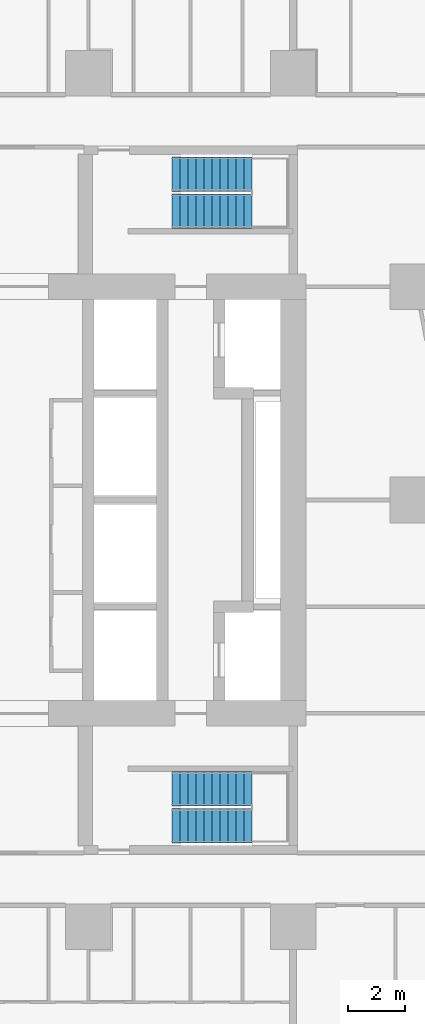
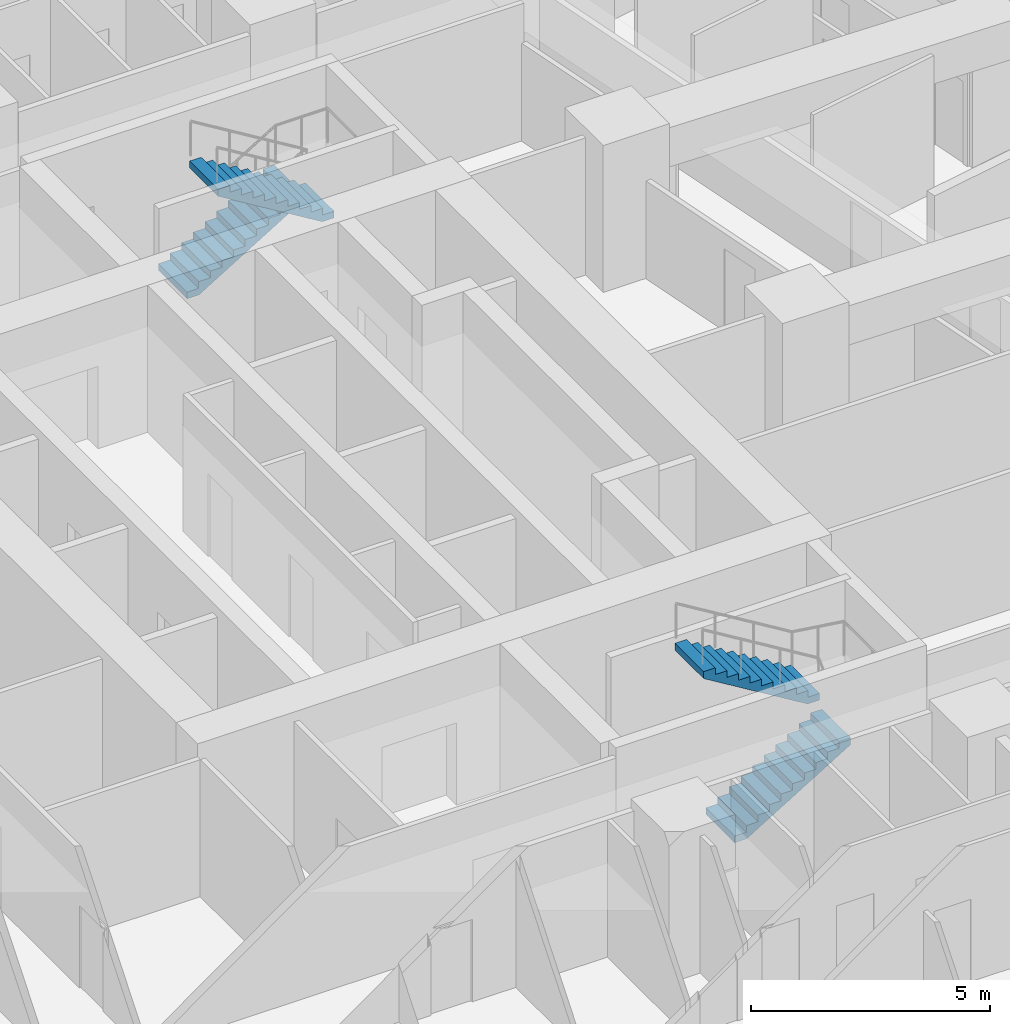
# One storey, part 12 of 15: 4 stair flights, 2 elements without a shape of their own.
"""IFC4 building model written with IfcOpenShell, lengths in metres."""

from ifc_helpers import new_model, si_unit, direction, frame, origin, place, context, subcontext, project, spatial, triangles, material, type_object, element, aggregate, save


model = new_model("IFC4")

# Units and contexts
model_context = context("Model", 3, precision=1e-05, world=origin(), true_north=direction((0.0, 1.0)))
body_context = subcontext(model_context, "Body", "Model", "MODEL_VIEW")
ifc_project = project(units=[si_unit("LENGTHUNIT", "METRE"), si_unit("AREAUNIT", "SQUARE_METRE"), si_unit("VOLUMEUNIT", "CUBIC_METRE"), si_unit("PLANEANGLEUNIT", "RADIAN"), si_unit("MASSUNIT", "GRAM", prefix="KILO")], contexts=[model_context])

# Site, building, storey
site_placement = place(None, origin())
site = spatial("IfcSite", under=ifc_project, at=site_placement, CompositionType="ELEMENT")
building_placement = place(site_placement, origin())
building = spatial("IfcBuilding", under=site, at=building_placement, Name="Sheger Commons Tower", CompositionType="ELEMENT")
storey_placement = place(building_placement, frame((0.0, 0.0, 81.64990234375)))
storey = spatial("IfcBuildingStorey", under=building, at=storey_placement, Name="L20", CompositionType="ELEMENT", Elevation=81.64990234375)

# Stair, stair flights
ifc_material_1 = material(Name="Concrete C35/45", Category="concrete")
stair_type = type_object("IfcStairType", Name="HALF-TURN STAIR 1200 RISE 3750", PredefinedType="HALF_TURN_STAIR", material=ifc_material_1)
stair_1_placement = place(storey_placement, origin())
stair_1 = element("IfcStair", 1, at=stair_1_placement, inside=storey, type_object=stair_type, Name="Stair S1 L20", PredefinedType="HALF_TURN_STAIR")
ifc_material_2 = material(Name="Concrete C35/45", Category="concrete")
stair_flight_type = type_object("IfcStairFlightType", Name="STAIR FLIGHT 1200 11 RISERS OF 170", PredefinedType="STRAIGHT", material=ifc_material_2)
stair_flight_1_placement = place(storey_placement, frame((24.550048828125, 11.050048828125, 0.0), z_axis=(0.0, 0.0, 1.0), x_axis=(1.0, 0.0, 0.0)))
stair_flight_1 = element("IfcStairFlight", 2, at=stair_flight_1_placement, type_object=stair_flight_type, Name="S1 flight 1", NumberOfRisers=11, NumberOfTreads=10, PredefinedType="STRAIGHT", RiserHeight=0.170454545, TreadLength=0.28, context=body_context, shape_type="Tessellation", body=[
    triangles([(0.0, 0.5999755859375, 0.0), (0.0, 0.5999755859375, 0.17041015625), (0.280029296875, 0.5999755859375, 0.17041015625), (0.280029296875, 0.5999755859375, 0.3408203125), (0.56005859375, 0.5999755859375, 0.3408203125), (0.56005859375, 0.5999755859375, 0.511474609375), (0.840087890625, 0.5999755859375, 0.511474609375), (0.840087890625, 0.5999755859375, 0.681884765625), (1.1201171875, 0.5999755859375, 0.681884765625), (1.1201171875, 0.5999755859375, 0.852294921875), (1.39990234375, 0.5999755859375, 0.852294921875), (1.39990234375, 0.5999755859375, 1.022705078125), (1.679931640625, 0.5999755859375, 1.022705078125), (1.679931640625, 0.5999755859375, 1.193115234375), (1.9599609375, 0.5999755859375, 1.193115234375), (1.9599609375, 0.5999755859375, 1.363525390625), (2.239990234375, 0.5999755859375, 1.363525390625), (2.239990234375, 0.5999755859375, 1.5341796875), (2.52001953125, 0.5999755859375, 1.5341796875), (2.52001953125, 0.5999755859375, 1.70458984375), (2.800048828125, 0.5999755859375, 1.70458984375), (2.800048828125, 0.5999755859375, 1.529052734375), (0.288330078125, 0.5999755859375, 0.0), (0.0, -0.5999755859375, 0.0), (0.0, -0.5999755859375, 0.17041015625), (0.280029296875, -0.5999755859375, 0.17041015625), (0.280029296875, -0.5999755859375, 0.3408203125), (0.56005859375, -0.5999755859375, 0.3408203125), (0.56005859375, -0.5999755859375, 0.511474609375), (0.840087890625, -0.5999755859375, 0.511474609375), (0.840087890625, -0.5999755859375, 0.681884765625), (1.1201171875, -0.5999755859375, 0.681884765625), (1.1201171875, -0.5999755859375, 0.852294921875), (1.39990234375, -0.5999755859375, 0.852294921875), (1.39990234375, -0.5999755859375, 1.022705078125), (1.679931640625, -0.5999755859375, 1.022705078125), (1.679931640625, -0.5999755859375, 1.193115234375), (1.9599609375, -0.5999755859375, 1.193115234375), (1.9599609375, -0.5999755859375, 1.363525390625), (2.239990234375, -0.5999755859375, 1.363525390625), (2.239990234375, -0.5999755859375, 1.5341796875), (2.52001953125, -0.5999755859375, 1.5341796875), (2.52001953125, -0.5999755859375, 1.70458984375), (2.800048828125, -0.5999755859375, 1.70458984375), (2.800048828125, -0.5999755859375, 1.529052734375), (0.288330078125, -0.5999755859375, 0.0), (0.0, 0.0, 0.085205078125), (0.1400146484375, 0.0, 0.17041015625), (0.280029296875, 0.0, 0.255615234375), (0.4200439453125, 0.0, 0.3408203125), (0.56005859375, 0.0, 0.4261474609375), (0.7000732421875, 0.0, 0.511474609375), (0.840087890625, 0.0, 0.5966796875), (0.9801025390625, 0.0, 0.681884765625), (1.1201171875, 0.0, 0.76708984375), (1.260009765625, 0.0, 0.852294921875), (1.39990234375, 0.0, 0.9375), (1.5399169921875, 0.0, 1.022705078125), (1.679931640625, 0.0, 1.10791015625), (1.8199462890625, 0.0, 1.193115234375), (1.9599609375, 0.0, 1.2783203125), (2.0999755859375, 0.0, 1.363525390625), (2.239990234375, 0.0, 1.4488525390625), (2.3800048828125, 0.0, 1.5341796875), (2.52001953125, 0.0, 1.619384765625), (2.6600341796875, 0.0, 1.70458984375), (2.800048828125, 0.0, 1.6168212890625), (1.544189453125, 0.0, 0.7645263671875), (0.1441650390625, 0.0, 0.0)], [[1, 22, 23], [24, 46, 45], [22, 20, 21], [45, 44, 43], [22, 19, 20], [45, 43, 42], [22, 18, 19], [45, 42, 41], [22, 17, 18], [45, 41, 40], [17, 15, 16], [40, 39, 38], [22, 15, 17], [45, 40, 38], [15, 13, 14], [38, 37, 36], [22, 13, 15], [45, 38, 36], [13, 11, 12], [36, 35, 34], [22, 11, 13], [45, 36, 34], [11, 9, 10], [34, 33, 32], [22, 9, 11], [45, 34, 32], [9, 7, 8], [32, 31, 30], [22, 7, 9], [45, 32, 30], [7, 5, 6], [30, 29, 28], [22, 5, 7], [45, 30, 28], [5, 3, 4], [28, 27, 26], [22, 3, 5], [45, 28, 26], [1, 3, 22], [24, 45, 26], [3, 1, 2], [26, 25, 24], [1, 47, 2], [2, 47, 25], [25, 47, 24], [24, 47, 1], [2, 48, 3], [3, 48, 26], [26, 48, 25], [25, 48, 2], [3, 49, 4], [4, 49, 27], [27, 49, 26], [26, 49, 3], [4, 50, 5], [5, 50, 28], [28, 50, 27], [27, 50, 4], [5, 51, 6], [6, 51, 29], [29, 51, 28], [28, 51, 5], [6, 52, 7], [7, 52, 30], [30, 52, 29], [29, 52, 6], [7, 53, 8], [8, 53, 31], [31, 53, 30], [30, 53, 7], [8, 54, 9], [9, 54, 32], [32, 54, 31], [31, 54, 8], [9, 55, 10], [10, 55, 33], [33, 55, 32], [32, 55, 9], [10, 56, 11], [11, 56, 34], [34, 56, 33], [33, 56, 10], [11, 57, 12], [12, 57, 35], [35, 57, 34], [34, 57, 11], [12, 58, 13], [13, 58, 36], [36, 58, 35], [35, 58, 12], [13, 59, 14], [14, 59, 37], [37, 59, 36], [36, 59, 13], [14, 60, 15], [15, 60, 38], [38, 60, 37], [37, 60, 14], [15, 61, 16], [16, 61, 39], [39, 61, 38], [38, 61, 15], [16, 62, 17], [17, 62, 40], [40, 62, 39], [39, 62, 16], [17, 63, 18], [18, 63, 41], [41, 63, 40], [40, 63, 17], [18, 64, 19], [19, 64, 42], [42, 64, 41], [41, 64, 18], [19, 65, 20], [20, 65, 43], [43, 65, 42], [42, 65, 19], [20, 66, 21], [21, 66, 44], [44, 66, 43], [43, 66, 20], [21, 67, 22], [22, 67, 45], [45, 67, 44], [44, 67, 21], [22, 68, 23], [23, 68, 46], [46, 68, 45], [45, 68, 22], [23, 69, 1], [1, 69, 24], [24, 69, 46], [46, 69, 23]], closed=True),
])
stair_flight_2_placement = place(storey_placement, frame((27.35009765625, 12.35009765625, 1.875), z_axis=(0.0, 0.0, 1.0), x_axis=(-1.0, 0.0, 0.0)))
stair_flight_2 = element("IfcStairFlight", 3, at=stair_flight_2_placement, type_object=stair_flight_type, Name="S1 flight 2", NumberOfRisers=11, NumberOfTreads=10, PredefinedType="STRAIGHT", RiserHeight=0.170454545, TreadLength=0.28, context=body_context, shape_type="Tessellation", body=[
    triangles([(0.0, 0.5999755859375, 0.0), (0.0, 0.5999755859375, 0.17041015625), (0.280029296875, 0.5999755859375, 0.17041015625), (0.280029296875, 0.5999755859375, 0.3408203125), (0.56005859375, 0.5999755859375, 0.3408203125), (0.56005859375, 0.5999755859375, 0.511474609375), (0.840087890625, 0.5999755859375, 0.511474609375), (0.840087890625, 0.5999755859375, 0.681884765625), (1.1201171875, 0.5999755859375, 0.681884765625), (1.1201171875, 0.5999755859375, 0.852294921875), (1.39990234375, 0.5999755859375, 0.852294921875), (1.39990234375, 0.5999755859375, 1.022705078125), (1.679931640625, 0.5999755859375, 1.022705078125), (1.679931640625, 0.5999755859375, 1.193115234375), (1.9599609375, 0.5999755859375, 1.193115234375), (1.9599609375, 0.5999755859375, 1.363525390625), (2.239990234375, 0.5999755859375, 1.363525390625), (2.239990234375, 0.5999755859375, 1.5341796875), (2.52001953125, 0.5999755859375, 1.5341796875), (2.52001953125, 0.5999755859375, 1.70458984375), (2.800048828125, 0.5999755859375, 1.70458984375), (2.800048828125, 0.5999755859375, 1.529052734375), (0.288330078125, 0.5999755859375, 0.0), (0.0, -0.5999755859375, 0.0), (0.0, -0.5999755859375, 0.17041015625), (0.280029296875, -0.5999755859375, 0.17041015625), (0.280029296875, -0.5999755859375, 0.3408203125), (0.56005859375, -0.5999755859375, 0.3408203125), (0.56005859375, -0.5999755859375, 0.511474609375), (0.840087890625, -0.5999755859375, 0.511474609375), (0.840087890625, -0.5999755859375, 0.681884765625), (1.1201171875, -0.5999755859375, 0.681884765625), (1.1201171875, -0.5999755859375, 0.852294921875), (1.39990234375, -0.5999755859375, 0.852294921875), (1.39990234375, -0.5999755859375, 1.022705078125), (1.679931640625, -0.5999755859375, 1.022705078125), (1.679931640625, -0.5999755859375, 1.193115234375), (1.9599609375, -0.5999755859375, 1.193115234375), (1.9599609375, -0.5999755859375, 1.363525390625), (2.239990234375, -0.5999755859375, 1.363525390625), (2.239990234375, -0.5999755859375, 1.5341796875), (2.52001953125, -0.5999755859375, 1.5341796875), (2.52001953125, -0.5999755859375, 1.70458984375), (2.800048828125, -0.5999755859375, 1.70458984375), (2.800048828125, -0.5999755859375, 1.529052734375), (0.288330078125, -0.5999755859375, 0.0), (0.0, 0.0, 0.085205078125), (0.1400146484375, 0.0, 0.17041015625), (0.280029296875, 0.0, 0.255615234375), (0.4200439453125, 0.0, 0.3408203125), (0.56005859375, 0.0, 0.4261474609375), (0.7000732421875, 0.0, 0.511474609375), (0.840087890625, 0.0, 0.5966796875), (0.9801025390625, 0.0, 0.681884765625), (1.1201171875, 0.0, 0.76708984375), (1.260009765625, 0.0, 0.852294921875), (1.39990234375, 0.0, 0.9375), (1.5399169921875, 0.0, 1.022705078125), (1.679931640625, 0.0, 1.10791015625), (1.8199462890625, 0.0, 1.193115234375), (1.9599609375, 0.0, 1.2783203125), (2.0999755859375, 0.0, 1.363525390625), (2.239990234375, 0.0, 1.4488525390625), (2.3800048828125, 0.0, 1.5341796875), (2.52001953125, 0.0, 1.619384765625), (2.6600341796875, 0.0, 1.70458984375), (2.800048828125, 0.0, 1.6168212890625), (1.544189453125, 0.0, 0.7645263671875), (0.1441650390625, 0.0, 0.0)], [[1, 22, 23], [24, 46, 45], [22, 20, 21], [45, 44, 43], [22, 19, 20], [45, 43, 42], [22, 18, 19], [45, 42, 41], [22, 17, 18], [45, 41, 40], [17, 15, 16], [40, 39, 38], [22, 15, 17], [45, 40, 38], [15, 13, 14], [38, 37, 36], [22, 13, 15], [45, 38, 36], [13, 11, 12], [36, 35, 34], [22, 11, 13], [45, 36, 34], [11, 9, 10], [34, 33, 32], [22, 9, 11], [45, 34, 32], [9, 7, 8], [32, 31, 30], [22, 7, 9], [45, 32, 30], [7, 5, 6], [30, 29, 28], [22, 5, 7], [45, 30, 28], [5, 3, 4], [28, 27, 26], [22, 3, 5], [45, 28, 26], [1, 3, 22], [24, 45, 26], [3, 1, 2], [26, 25, 24], [1, 47, 2], [2, 47, 25], [25, 47, 24], [24, 47, 1], [2, 48, 3], [3, 48, 26], [26, 48, 25], [25, 48, 2], [3, 49, 4], [4, 49, 27], [27, 49, 26], [26, 49, 3], [4, 50, 5], [5, 50, 28], [28, 50, 27], [27, 50, 4], [5, 51, 6], [6, 51, 29], [29, 51, 28], [28, 51, 5], [6, 52, 7], [7, 52, 30], [30, 52, 29], [29, 52, 6], [7, 53, 8], [8, 53, 31], [31, 53, 30], [30, 53, 7], [8, 54, 9], [9, 54, 32], [32, 54, 31], [31, 54, 8], [9, 55, 10], [10, 55, 33], [33, 55, 32], [32, 55, 9], [10, 56, 11], [11, 56, 34], [34, 56, 33], [33, 56, 10], [11, 57, 12], [12, 57, 35], [35, 57, 34], [34, 57, 11], [12, 58, 13], [13, 58, 36], [36, 58, 35], [35, 58, 12], [13, 59, 14], [14, 59, 37], [37, 59, 36], [36, 59, 13], [14, 60, 15], [15, 60, 38], [38, 60, 37], [37, 60, 14], [15, 61, 16], [16, 61, 39], [39, 61, 38], [38, 61, 15], [16, 62, 17], [17, 62, 40], [40, 62, 39], [39, 62, 16], [17, 63, 18], [18, 63, 41], [41, 63, 40], [40, 63, 17], [18, 64, 19], [19, 64, 42], [42, 64, 41], [41, 64, 18], [19, 65, 20], [20, 65, 43], [43, 65, 42], [42, 65, 19], [20, 66, 21], [21, 66, 44], [44, 66, 43], [43, 66, 20], [21, 67, 22], [22, 67, 45], [45, 67, 44], [44, 67, 21], [22, 68, 23], [23, 68, 46], [46, 68, 45], [45, 68, 22], [23, 69, 1], [1, 69, 24], [24, 69, 46], [46, 69, 23]], closed=True),
])
aggregate(stair_1, [stair_flight_1, stair_flight_2])

stair_2_placement = place(storey_placement, origin())
stair_2 = element("IfcStair", 4, at=stair_2_placement, inside=storey, type_object=stair_type, Name="Stair S2 L20", PredefinedType="HALF_TURN_STAIR")
stair_flight_3_placement = place(storey_placement, frame((24.550048828125, 33.949951171875, 0.0), z_axis=(0.0, 0.0, 1.0), x_axis=(1.0, 0.0, 0.0)))
stair_flight_3 = element("IfcStairFlight", 5, at=stair_flight_3_placement, type_object=stair_flight_type, Name="S2 flight 1", NumberOfRisers=11, NumberOfTreads=10, PredefinedType="STRAIGHT", RiserHeight=0.170454545, TreadLength=0.28, context=body_context, shape_type="Tessellation", body=[
    triangles([(0.0, 0.5999755859375, 0.0), (0.0, 0.5999755859375, 0.17041015625), (0.280029296875, 0.5999755859375, 0.17041015625), (0.280029296875, 0.5999755859375, 0.3408203125), (0.56005859375, 0.5999755859375, 0.3408203125), (0.56005859375, 0.5999755859375, 0.511474609375), (0.840087890625, 0.5999755859375, 0.511474609375), (0.840087890625, 0.5999755859375, 0.681884765625), (1.1201171875, 0.5999755859375, 0.681884765625), (1.1201171875, 0.5999755859375, 0.852294921875), (1.39990234375, 0.5999755859375, 0.852294921875), (1.39990234375, 0.5999755859375, 1.022705078125), (1.679931640625, 0.5999755859375, 1.022705078125), (1.679931640625, 0.5999755859375, 1.193115234375), (1.9599609375, 0.5999755859375, 1.193115234375), (1.9599609375, 0.5999755859375, 1.363525390625), (2.239990234375, 0.5999755859375, 1.363525390625), (2.239990234375, 0.5999755859375, 1.5341796875), (2.52001953125, 0.5999755859375, 1.5341796875), (2.52001953125, 0.5999755859375, 1.70458984375), (2.800048828125, 0.5999755859375, 1.70458984375), (2.800048828125, 0.5999755859375, 1.529052734375), (0.288330078125, 0.5999755859375, 0.0), (0.0, -0.5999755859375, 0.0), (0.0, -0.5999755859375, 0.17041015625), (0.280029296875, -0.5999755859375, 0.17041015625), (0.280029296875, -0.5999755859375, 0.3408203125), (0.56005859375, -0.5999755859375, 0.3408203125), (0.56005859375, -0.5999755859375, 0.511474609375), (0.840087890625, -0.5999755859375, 0.511474609375), (0.840087890625, -0.5999755859375, 0.681884765625), (1.1201171875, -0.5999755859375, 0.681884765625), (1.1201171875, -0.5999755859375, 0.852294921875), (1.39990234375, -0.5999755859375, 0.852294921875), (1.39990234375, -0.5999755859375, 1.022705078125), (1.679931640625, -0.5999755859375, 1.022705078125), (1.679931640625, -0.5999755859375, 1.193115234375), (1.9599609375, -0.5999755859375, 1.193115234375), (1.9599609375, -0.5999755859375, 1.363525390625), (2.239990234375, -0.5999755859375, 1.363525390625), (2.239990234375, -0.5999755859375, 1.5341796875), (2.52001953125, -0.5999755859375, 1.5341796875), (2.52001953125, -0.5999755859375, 1.70458984375), (2.800048828125, -0.5999755859375, 1.70458984375), (2.800048828125, -0.5999755859375, 1.529052734375), (0.288330078125, -0.5999755859375, 0.0), (0.0, 0.0, 0.085205078125), (0.1400146484375, 0.0, 0.17041015625), (0.280029296875, 0.0, 0.255615234375), (0.4200439453125, 0.0, 0.3408203125), (0.56005859375, 0.0, 0.4261474609375), (0.7000732421875, 0.0, 0.511474609375), (0.840087890625, 0.0, 0.5966796875), (0.9801025390625, 0.0, 0.681884765625), (1.1201171875, 0.0, 0.76708984375), (1.260009765625, 0.0, 0.852294921875), (1.39990234375, 0.0, 0.9375), (1.5399169921875, 0.0, 1.022705078125), (1.679931640625, 0.0, 1.10791015625), (1.8199462890625, 0.0, 1.193115234375), (1.9599609375, 0.0, 1.2783203125), (2.0999755859375, 0.0, 1.363525390625), (2.239990234375, 0.0, 1.4488525390625), (2.3800048828125, 0.0, 1.5341796875), (2.52001953125, 0.0, 1.619384765625), (2.6600341796875, 0.0, 1.70458984375), (2.800048828125, 0.0, 1.6168212890625), (1.544189453125, 0.0, 0.7645263671875), (0.1441650390625, 0.0, 0.0)], [[1, 22, 23], [24, 46, 45], [22, 20, 21], [45, 44, 43], [22, 19, 20], [45, 43, 42], [22, 18, 19], [45, 42, 41], [22, 17, 18], [45, 41, 40], [17, 15, 16], [40, 39, 38], [22, 15, 17], [45, 40, 38], [15, 13, 14], [38, 37, 36], [22, 13, 15], [45, 38, 36], [13, 11, 12], [36, 35, 34], [22, 11, 13], [45, 36, 34], [11, 9, 10], [34, 33, 32], [22, 9, 11], [45, 34, 32], [9, 7, 8], [32, 31, 30], [22, 7, 9], [45, 32, 30], [7, 5, 6], [30, 29, 28], [22, 5, 7], [45, 30, 28], [5, 3, 4], [28, 27, 26], [22, 3, 5], [45, 28, 26], [1, 3, 22], [24, 45, 26], [3, 1, 2], [26, 25, 24], [1, 47, 2], [2, 47, 25], [25, 47, 24], [24, 47, 1], [2, 48, 3], [3, 48, 26], [26, 48, 25], [25, 48, 2], [3, 49, 4], [4, 49, 27], [27, 49, 26], [26, 49, 3], [4, 50, 5], [5, 50, 28], [28, 50, 27], [27, 50, 4], [5, 51, 6], [6, 51, 29], [29, 51, 28], [28, 51, 5], [6, 52, 7], [7, 52, 30], [30, 52, 29], [29, 52, 6], [7, 53, 8], [8, 53, 31], [31, 53, 30], [30, 53, 7], [8, 54, 9], [9, 54, 32], [32, 54, 31], [31, 54, 8], [9, 55, 10], [10, 55, 33], [33, 55, 32], [32, 55, 9], [10, 56, 11], [11, 56, 34], [34, 56, 33], [33, 56, 10], [11, 57, 12], [12, 57, 35], [35, 57, 34], [34, 57, 11], [12, 58, 13], [13, 58, 36], [36, 58, 35], [35, 58, 12], [13, 59, 14], [14, 59, 37], [37, 59, 36], [36, 59, 13], [14, 60, 15], [15, 60, 38], [38, 60, 37], [37, 60, 14], [15, 61, 16], [16, 61, 39], [39, 61, 38], [38, 61, 15], [16, 62, 17], [17, 62, 40], [40, 62, 39], [39, 62, 16], [17, 63, 18], [18, 63, 41], [41, 63, 40], [40, 63, 17], [18, 64, 19], [19, 64, 42], [42, 64, 41], [41, 64, 18], [19, 65, 20], [20, 65, 43], [43, 65, 42], [42, 65, 19], [20, 66, 21], [21, 66, 44], [44, 66, 43], [43, 66, 20], [21, 67, 22], [22, 67, 45], [45, 67, 44], [44, 67, 21], [22, 68, 23], [23, 68, 46], [46, 68, 45], [45, 68, 22], [23, 69, 1], [1, 69, 24], [24, 69, 46], [46, 69, 23]], closed=True),
])
stair_flight_4_placement = place(storey_placement, frame((27.35009765625, 32.64990234375, 1.875), z_axis=(0.0, 0.0, 1.0), x_axis=(-1.0, 0.0, 0.0)))
stair_flight_4 = element("IfcStairFlight", 6, at=stair_flight_4_placement, type_object=stair_flight_type, Name="S2 flight 2", NumberOfRisers=11, NumberOfTreads=10, PredefinedType="STRAIGHT", RiserHeight=0.170454545, TreadLength=0.28, context=body_context, shape_type="Tessellation", body=[
    triangles([(0.0, 0.5999755859375, 0.0), (0.0, 0.5999755859375, 0.17041015625), (0.280029296875, 0.5999755859375, 0.17041015625), (0.280029296875, 0.5999755859375, 0.3408203125), (0.56005859375, 0.5999755859375, 0.3408203125), (0.56005859375, 0.5999755859375, 0.511474609375), (0.840087890625, 0.5999755859375, 0.511474609375), (0.840087890625, 0.5999755859375, 0.681884765625), (1.1201171875, 0.5999755859375, 0.681884765625), (1.1201171875, 0.5999755859375, 0.852294921875), (1.39990234375, 0.5999755859375, 0.852294921875), (1.39990234375, 0.5999755859375, 1.022705078125), (1.679931640625, 0.5999755859375, 1.022705078125), (1.679931640625, 0.5999755859375, 1.193115234375), (1.9599609375, 0.5999755859375, 1.193115234375), (1.9599609375, 0.5999755859375, 1.363525390625), (2.239990234375, 0.5999755859375, 1.363525390625), (2.239990234375, 0.5999755859375, 1.5341796875), (2.52001953125, 0.5999755859375, 1.5341796875), (2.52001953125, 0.5999755859375, 1.70458984375), (2.800048828125, 0.5999755859375, 1.70458984375), (2.800048828125, 0.5999755859375, 1.529052734375), (0.288330078125, 0.5999755859375, 0.0), (0.0, -0.5999755859375, 0.0), (0.0, -0.5999755859375, 0.17041015625), (0.280029296875, -0.5999755859375, 0.17041015625), (0.280029296875, -0.5999755859375, 0.3408203125), (0.56005859375, -0.5999755859375, 0.3408203125), (0.56005859375, -0.5999755859375, 0.511474609375), (0.840087890625, -0.5999755859375, 0.511474609375), (0.840087890625, -0.5999755859375, 0.681884765625), (1.1201171875, -0.5999755859375, 0.681884765625), (1.1201171875, -0.5999755859375, 0.852294921875), (1.39990234375, -0.5999755859375, 0.852294921875), (1.39990234375, -0.5999755859375, 1.022705078125), (1.679931640625, -0.5999755859375, 1.022705078125), (1.679931640625, -0.5999755859375, 1.193115234375), (1.9599609375, -0.5999755859375, 1.193115234375), (1.9599609375, -0.5999755859375, 1.363525390625), (2.239990234375, -0.5999755859375, 1.363525390625), (2.239990234375, -0.5999755859375, 1.5341796875), (2.52001953125, -0.5999755859375, 1.5341796875), (2.52001953125, -0.5999755859375, 1.70458984375), (2.800048828125, -0.5999755859375, 1.70458984375), (2.800048828125, -0.5999755859375, 1.529052734375), (0.288330078125, -0.5999755859375, 0.0), (0.0, 0.0, 0.085205078125), (0.1400146484375, 0.0, 0.17041015625), (0.280029296875, 0.0, 0.255615234375), (0.4200439453125, 0.0, 0.3408203125), (0.56005859375, 0.0, 0.4261474609375), (0.7000732421875, 0.0, 0.511474609375), (0.840087890625, 0.0, 0.5966796875), (0.9801025390625, 0.0, 0.681884765625), (1.1201171875, 0.0, 0.76708984375), (1.260009765625, 0.0, 0.852294921875), (1.39990234375, 0.0, 0.9375), (1.5399169921875, 0.0, 1.022705078125), (1.679931640625, 0.0, 1.10791015625), (1.8199462890625, 0.0, 1.193115234375), (1.9599609375, 0.0, 1.2783203125), (2.0999755859375, 0.0, 1.363525390625), (2.239990234375, 0.0, 1.4488525390625), (2.3800048828125, 0.0, 1.5341796875), (2.52001953125, 0.0, 1.619384765625), (2.6600341796875, 0.0, 1.70458984375), (2.800048828125, 0.0, 1.6168212890625), (1.544189453125, 0.0, 0.7645263671875), (0.1441650390625, 0.0, 0.0)], [[1, 22, 23], [24, 46, 45], [22, 20, 21], [45, 44, 43], [22, 19, 20], [45, 43, 42], [22, 18, 19], [45, 42, 41], [22, 17, 18], [45, 41, 40], [17, 15, 16], [40, 39, 38], [22, 15, 17], [45, 40, 38], [15, 13, 14], [38, 37, 36], [22, 13, 15], [45, 38, 36], [13, 11, 12], [36, 35, 34], [22, 11, 13], [45, 36, 34], [11, 9, 10], [34, 33, 32], [22, 9, 11], [45, 34, 32], [9, 7, 8], [32, 31, 30], [22, 7, 9], [45, 32, 30], [7, 5, 6], [30, 29, 28], [22, 5, 7], [45, 30, 28], [5, 3, 4], [28, 27, 26], [22, 3, 5], [45, 28, 26], [1, 3, 22], [24, 45, 26], [3, 1, 2], [26, 25, 24], [1, 47, 2], [2, 47, 25], [25, 47, 24], [24, 47, 1], [2, 48, 3], [3, 48, 26], [26, 48, 25], [25, 48, 2], [3, 49, 4], [4, 49, 27], [27, 49, 26], [26, 49, 3], [4, 50, 5], [5, 50, 28], [28, 50, 27], [27, 50, 4], [5, 51, 6], [6, 51, 29], [29, 51, 28], [28, 51, 5], [6, 52, 7], [7, 52, 30], [30, 52, 29], [29, 52, 6], [7, 53, 8], [8, 53, 31], [31, 53, 30], [30, 53, 7], [8, 54, 9], [9, 54, 32], [32, 54, 31], [31, 54, 8], [9, 55, 10], [10, 55, 33], [33, 55, 32], [32, 55, 9], [10, 56, 11], [11, 56, 34], [34, 56, 33], [33, 56, 10], [11, 57, 12], [12, 57, 35], [35, 57, 34], [34, 57, 11], [12, 58, 13], [13, 58, 36], [36, 58, 35], [35, 58, 12], [13, 59, 14], [14, 59, 37], [37, 59, 36], [36, 59, 13], [14, 60, 15], [15, 60, 38], [38, 60, 37], [37, 60, 14], [15, 61, 16], [16, 61, 39], [39, 61, 38], [38, 61, 15], [16, 62, 17], [17, 62, 40], [40, 62, 39], [39, 62, 16], [17, 63, 18], [18, 63, 41], [41, 63, 40], [40, 63, 17], [18, 64, 19], [19, 64, 42], [42, 64, 41], [41, 64, 18], [19, 65, 20], [20, 65, 43], [43, 65, 42], [42, 65, 19], [20, 66, 21], [21, 66, 44], [44, 66, 43], [43, 66, 20], [21, 67, 22], [22, 67, 45], [45, 67, 44], [44, 67, 21], [22, 68, 23], [23, 68, 46], [46, 68, 45], [45, 68, 22], [23, 69, 1], [1, 69, 24], [24, 69, 46], [46, 69, 23]], closed=True),
])
aggregate(stair_2, [stair_flight_3, stair_flight_4])

save(model, "model.ifc")
